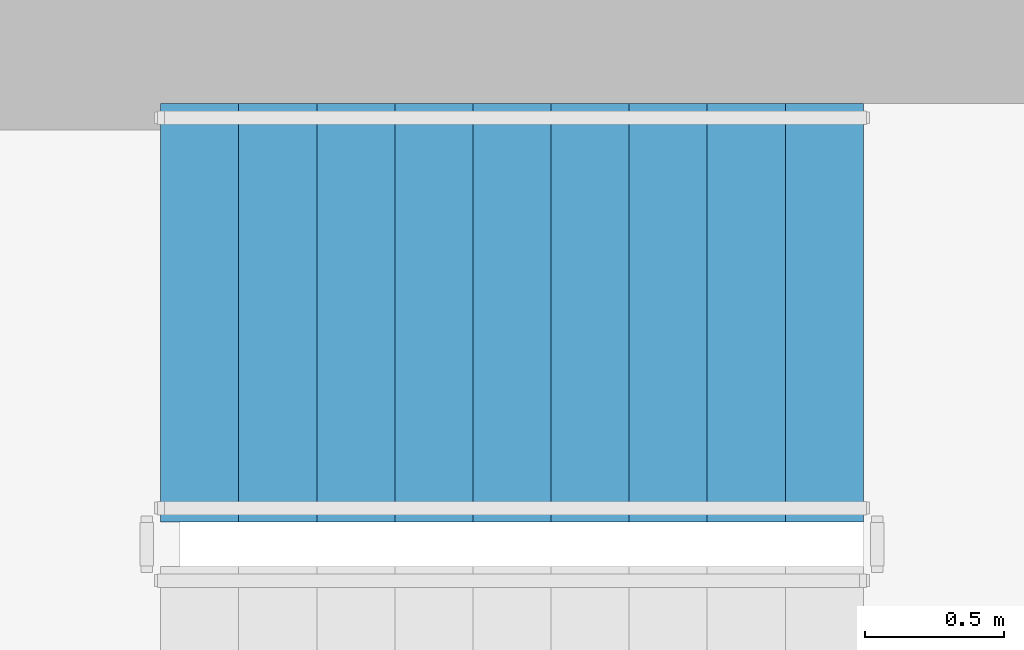
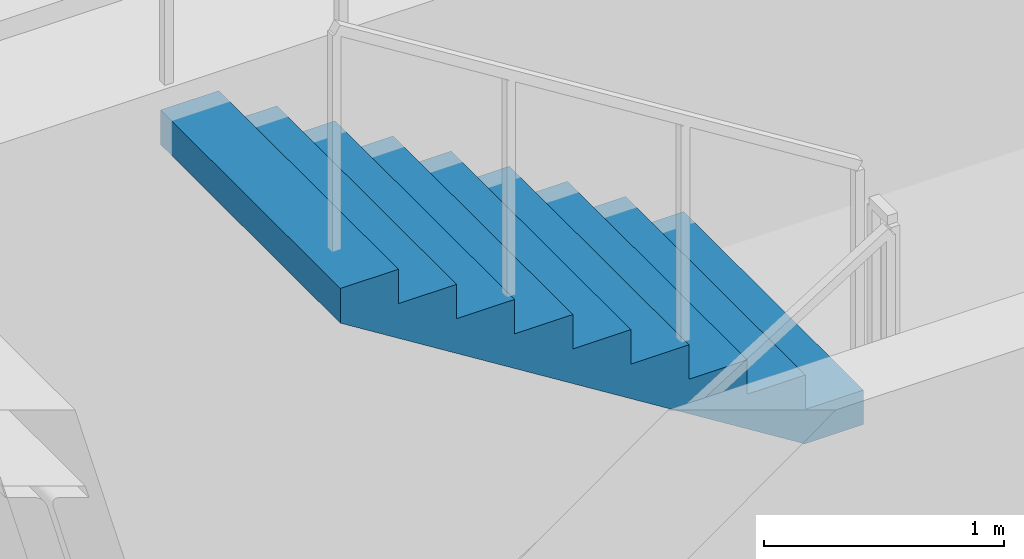
# One storey, part 13 of 16: 1 stair flight, 1 element without a shape of its own.
"""IFC4 building model written with IfcOpenShell, lengths in metres."""

import ifcopenshell
import ifcopenshell.guid

model = None  # the IFC model being written
_history = None  # IfcOwnerHistory: only IFC2X3 demands one
_inside = {}  # id of a spatial element -> (the spatial element, [elements in it])
_under = {}  # id of a project, library or spatial element -> (it, [spatial elements below it])
_declared = {}  # id of a project -> (the project, [libraries it declares])
_typed = {}  # id of a type object -> (the type object, [elements of that type])
_made_of = {}  # id of a material, layer set ... -> (it, [elements and type objects made of it])


def new_model(schema):
    """Start an empty IFC model of exactly this schema.

    Asked for "IFC4X3", IfcOpenShell would pick the latest addendum, in which some entities
    have other attributes; the version numbers below select the first issue.
    IFC2X3 requires an IfcOwnerHistory on every rooted entity: one is made here for all.
    """
    global model, _history
    if schema == "IFC4X3":
        model = ifcopenshell.file(schema_version=(4, 3, 0, 0))
    else:
        model = ifcopenshell.file(schema=schema)
    _inside.clear()
    _under.clear()
    _declared.clear()
    _typed.clear()
    _made_of.clear()
    _history = None
    if model.schema == "IFC2X3":
        org = make("IfcOrganization", Name="unknown")
        user = make(
            "IfcPersonAndOrganization",
            ThePerson=make("IfcPerson", FamilyName="unknown"),
            TheOrganization=org,
        )
        app = make(
            "IfcApplication",
            ApplicationDeveloper=org,
            Version="unknown",
            ApplicationFullName="unknown",
            ApplicationIdentifier="unknown",
        )
        _history = make(
            "IfcOwnerHistory",
            OwningUser=user,
            OwningApplication=app,
            ChangeAction="ADDED",
            CreationDate=0,
        )
    return model


def make(cls, **values):
    """One entity of the class cls with the attributes given. An attribute that is None is left unset."""
    return model.create_entity(
        cls, **{name: value for name, value in values.items() if value is not None}
    )


def rooted(cls, **values):
    """An entity with a GlobalId (a new one), such as an element, a storey or a relation."""
    return make(cls, GlobalId=ifcopenshell.guid.new(), OwnerHistory=_history, **values)


def si_unit(unit_type, name, prefix=None):
    """IfcSIUnit, for example si_unit("LENGTHUNIT", "METRE", prefix="MILLI")."""
    return make("IfcSIUnit", UnitType=unit_type, Prefix=prefix, Name=name)


def assignment(units):
    """IfcUnitAssignment: the units of a project."""
    return None if units is None else make("IfcUnitAssignment", Units=units)


def point(xyz):
    """IfcCartesianPoint."""
    return None if xyz is None else make("IfcCartesianPoint", Coordinates=xyz)


def direction(xyz):
    """IfcDirection."""
    return None if xyz is None else make("IfcDirection", DirectionRatios=xyz)


def frame(location, z_axis=None, x_axis=None):
    """IfcAxis2Placement3D, a coordinate frame: its origin and axes. An axis left out is left unset."""
    return make(
        "IfcAxis2Placement3D",
        Location=point(location),
        Axis=direction(z_axis),
        RefDirection=direction(x_axis),
    )


def origin():
    """The frame at (0, 0, 0) with its axes left unset."""
    return frame((0.0, 0.0, 0.0))


def place(relative_to, where):
    """IfcLocalPlacement: puts the frame where relative to a parent placement (None: the world)."""
    return make(
        "IfcLocalPlacement", PlacementRelTo=relative_to, RelativePlacement=where
    )


def context(
    kind, dimensions, precision=None, world=None, true_north=None, identifier=None
):
    """IfcGeometricRepresentationContext, for example the 3D "Model" context."""
    return make(
        "IfcGeometricRepresentationContext",
        ContextIdentifier=identifier,
        ContextType=kind,
        CoordinateSpaceDimension=dimensions,
        Precision=precision,
        WorldCoordinateSystem=world,
        TrueNorth=true_north,
    )


def subcontext(parent, identifier, kind, view, scale=None):
    """IfcGeometricRepresentationSubContext, for example "Body" below "Model"."""
    return make(
        "IfcGeometricRepresentationSubContext",
        ContextIdentifier=identifier,
        ContextType=kind,
        ParentContext=parent,
        TargetScale=scale,
        TargetView=view,
    )


def project(units=None, contexts=None):
    """IfcProject with its units and contexts."""
    return rooted(
        "IfcProject",
        Name="project",
        RepresentationContexts=contexts,
        UnitsInContext=assignment(units),
    )


def spatial(cls, under=None, at=None, **own):
    """A site, building, storey or space (cls), placed at a placement, below another one or the project."""
    s = rooted(cls, ObjectPlacement=at, **own)
    if under is not None:
        _under.setdefault(under.id(), (under, []))[1].append(s)
    return s


def polyline(points):
    """IfcPolyline through the points."""
    return make("IfcPolyline", Points=[point(p) for p in points])


def outline(outer, holes=None, kind="AREA"):
    """IfcArbitraryClosedProfileDef: a profile drawn as a closed curve; with holes, ...WithVoids."""
    if holes is None:
        return make("IfcArbitraryClosedProfileDef", ProfileType=kind, OuterCurve=outer)
    return make(
        "IfcArbitraryProfileDefWithVoids",
        ProfileType=kind,
        OuterCurve=outer,
        InnerCurves=holes,
    )


def extrude(swept, where, along, depth):
    """IfcExtrudedAreaSolid: the profile swept, set in the frame where, extruded along a direction by depth."""
    return make(
        "IfcExtrudedAreaSolid",
        SweptArea=swept,
        Position=where,
        ExtrudedDirection=direction(along),
        Depth=depth,
    )


def shape(context_of_items, identifier, shape_type, items):
    """IfcShapeRepresentation: the items that make up one representation, for example the "Body"."""
    return make(
        "IfcShapeRepresentation",
        ContextOfItems=context_of_items,
        RepresentationIdentifier=identifier,
        RepresentationType=shape_type,
        Items=items,
    )


def material(Name=None, Category=None):
    """IfcMaterial."""
    return make("IfcMaterial", Name=Name, Category=Category)


def layer(
    of_material, thickness, ventilated=None, Name=None, Category=None, Priority=None
):
    """IfcMaterialLayer: one layer of a wall or slab, of a material (None: an air gap)."""
    return make(
        "IfcMaterialLayer",
        Material=of_material,
        LayerThickness=thickness,
        IsVentilated=ventilated,
        Name=Name,
        Category=Category,
        Priority=Priority,
    )


def layer_set(layers, Name=None):
    """IfcMaterialLayerSet."""
    return make("IfcMaterialLayerSet", MaterialLayers=layers, LayerSetName=Name)


def made_of(thing, what):
    """Note that an element or type object is made of a material, layer set ...; save() writes the relation."""
    if what is not None:
        _made_of.setdefault(what.id(), (what, []))[1].append(thing)
    return thing


def type_object(cls, material=None, **own):
    """A type object (cls), such as IfcWallType, which elements share."""
    return made_of(rooted(cls, **own), material)


def element(
    cls,
    number,
    at=None,
    inside=None,
    cuts=None,
    type_object=None,
    material=None,
    context=None,
    identifier="Body",
    shape_type=None,
    held_by="IfcProductDefinitionShape",
    body=None,
    shapes=None,
    **own,
):
    """One element of the class cls, such as IfcWall. Its Tag is "e" and its number.

    at: its placement. inside: the storey or other place that contains it. cuts: it is an
    opening in that element (IfcRelVoidsElement). A single representation is given by context,
    identifier, shape_type and body (its items); several are given by shapes. held_by: the class
    of the entity that holds the representations. save() writes the other relations.
    """
    e = rooted(cls, Tag="e%d" % number, ObjectPlacement=at, **own)
    if body is not None:
        shapes = [shape(context, identifier, shape_type, body)]
    if shapes is not None:
        e.Representation = make(held_by, Representations=shapes)
    if inside is not None:
        _inside.setdefault(inside.id(), (inside, []))[1].append(e)
    if cuts is not None:
        rooted(
            "IfcRelVoidsElement", RelatingBuildingElement=cuts, RelatedOpeningElement=e
        )
    if type_object is not None:
        _typed.setdefault(type_object.id(), (type_object, []))[1].append(e)
    return made_of(e, material)


def aggregate(whole, parts):
    """IfcRelAggregates: a whole, such as a stair, and the parts it consists of."""
    return rooted("IfcRelAggregates", RelatingObject=whole, RelatedObjects=parts)


def save(model, path):
    """Write the relations noted so far, then the file.

    IfcRelAggregates (storeys below a building ...), IfcRelContainedInSpatialStructure (elements
    in a storey), IfcRelDefinesByType, IfcRelAssociatesMaterial and IfcRelDeclares: one each for
    every whole, place, type object, material and project.
    """
    for whole, parts in _under.values():
        aggregate(whole, parts)
    for where, things in _inside.values():
        rooted(
            "IfcRelContainedInSpatialStructure",
            RelatedElements=things,
            RelatingStructure=where,
        )
    for kind, things in _typed.values():
        rooted("IfcRelDefinesByType", RelatedObjects=things, RelatingType=kind)
    for what, things in _made_of.values():
        rooted("IfcRelAssociatesMaterial", RelatedObjects=things, RelatingMaterial=what)
    for by, libraries in _declared.values():
        rooted("IfcRelDeclares", RelatingContext=by, RelatedDefinitions=libraries)
    model.write(path)


model = new_model("IFC4")

# Units and contexts
model_context = context("Model", 3, precision=1e-05, world=origin(), true_north=direction((0.0, 1.0)))
body_context = subcontext(model_context, "Body", "Model", "MODEL_VIEW")
ifc_project = project(units=[si_unit("LENGTHUNIT", "METRE"), si_unit("AREAUNIT", "SQUARE_METRE"), si_unit("VOLUMEUNIT", "CUBIC_METRE"), si_unit("PLANEANGLEUNIT", "RADIAN"), si_unit("MASSUNIT", "GRAM", prefix="KILO")], contexts=[model_context])

# Site, building, storey
site_placement = place(None, origin())
site = spatial("IfcSite", under=ifc_project, at=site_placement, CompositionType="ELEMENT")
building_placement = place(site_placement, origin())
building = spatial("IfcBuilding", under=site, at=building_placement, Name="Zarnavel Station Tower", CompositionType="ELEMENT")
storey_placement = place(building_placement, frame((0.0, 0.0, 118.800048828125)))
storey = spatial("IfcBuildingStorey", under=building, at=storey_placement, Name="L32", CompositionType="ELEMENT", Elevation=118.800048828125)

# Stair, stair flight
ifc_material_1 = material(Name="Concrete C45/55", Category="concrete")
stair_type = type_object("IfcStairType", Name="ST_CORE_150", PredefinedType="HALF_TURN_STAIR", material=ifc_material_1)
stair_placement = place(storey_placement, origin())
stair = element("IfcStair", 1, at=stair_placement, inside=storey, type_object=stair_type, Name="L32 Core Exit Stair ST2", PredefinedType="HALF_TURN_STAIR")
ifc_material_2 = material(Name="Concrete C45/55", Category="concrete")
ifc_layer = layer(ifc_material_2, 0.179931640625)
ifc_layer_set = layer_set([ifc_layer], Name="ST_CORE_150_FLT")
stair_flight_type = type_object("IfcStairFlightType", Name="ST_CORE_150_FLT", PredefinedType="STRAIGHT", material=ifc_layer_set)
stair_flight_placement = place(storey_placement, frame((40.60009765625, 36.070068359375, 1.75), z_axis=(0.0, 0.0, 1.0), x_axis=(-1.0, 0.0, 0.0)))
stair_flight = element("IfcStairFlight", 2, at=stair_flight_placement, type_object=stair_flight_type, Name="ST2 flight 2", NumberOfRisers=10, NumberOfTreads=9, PredefinedType="STRAIGHT", RiserHeight=0.175, TreadLength=0.28, context=body_context, shape_type="SweptSolid", body=[
    extrude(outline(polyline([(0.0, 0.0), (0.0, 0.175048828125), (0.280029296875, 0.175048828125), (0.280029296875, 0.35009765625), (0.56005859375, 0.35009765625), (0.56005859375, 0.52490234375), (0.840087890625, 0.52490234375), (0.840087890625, 0.699951171875), (1.1201171875, 0.699951171875), (1.1201171875, 0.875), (1.39990234375, 0.875), (1.39990234375, 1.050048828125), (1.679931640625, 1.050048828125), (1.679931640625, 1.22509765625), (1.9599609375, 1.22509765625), (1.9599609375, 1.39990234375), (2.239990234375, 1.39990234375), (2.239990234375, 1.574951171875), (2.52001953125, 1.574951171875), (2.52001953125, 1.75), (2.52001953125, 1.398193359375), (0.28271484375, 0.0), (0.0, 0.0)])), frame((0.0, 0.75, 0.0), z_axis=(0.0, -1.0, 0.0), x_axis=(1.0, 0.0, 0.0)), (0.0, 0.0, 1.0), 1.5),
])
aggregate(stair, [stair_flight])

save(model, "model.ifc")
